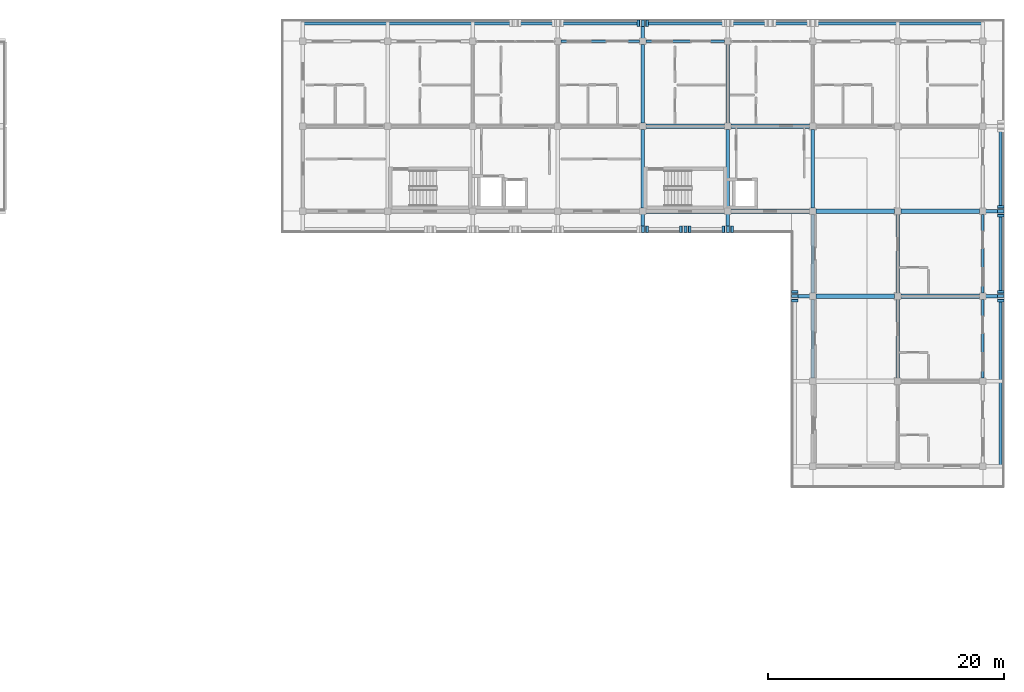
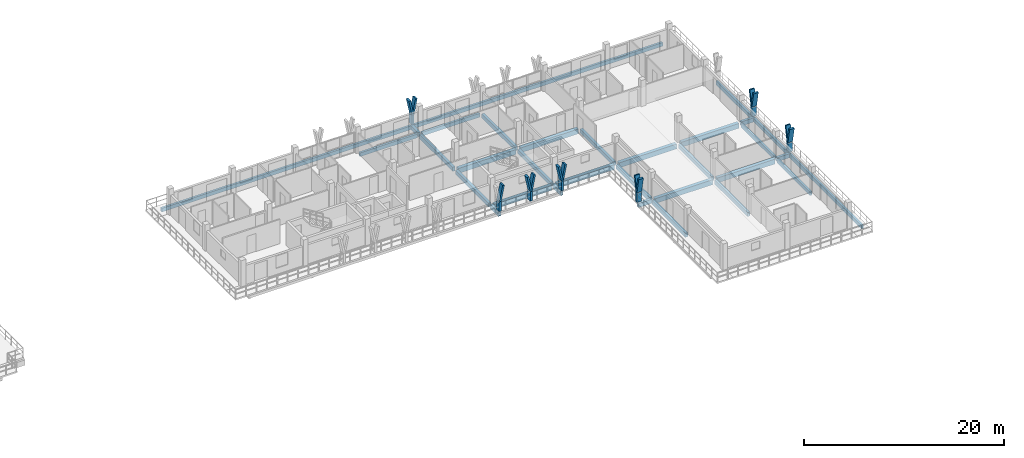
# One storey, part 26 of 65: 29 beams, 20 members.
"""IFC4 building model written with IfcOpenShell, lengths in metres."""

from ifc_helpers import new_model, si_unit, direction, frame, origin, origin_2d, place, context, subcontext, project, spatial, rectangle, extrude, material, material_profile, profile_set, type_object, element, save


model = new_model("IFC4")

# Units and contexts
model_context = context("Model", 3, precision=1e-05, world=origin(), true_north=direction((0.0, 1.0)))
body_context = subcontext(model_context, "Body", "Model", "MODEL_VIEW")
ifc_project = project(units=[si_unit("LENGTHUNIT", "METRE"), si_unit("AREAUNIT", "SQUARE_METRE"), si_unit("VOLUMEUNIT", "CUBIC_METRE"), si_unit("PLANEANGLEUNIT", "RADIAN"), si_unit("MASSUNIT", "GRAM", prefix="KILO")], contexts=[model_context])

# Site, building, storey
site_placement = place(None, origin())
site = spatial("IfcSite", under=ifc_project, at=site_placement, CompositionType="ELEMENT")
building_placement = place(site_placement, origin())
building = spatial("IfcBuilding", under=site, at=building_placement, Name="Suanplinth Sawtooth Commons", CompositionType="ELEMENT")
storey_placement = place(building_placement, frame((0.0, 0.0, 28.300048828125)))
storey = spatial("IfcBuildingStorey", under=building, at=storey_placement, Name="L08", CompositionType="ELEMENT", Elevation=28.300048828125)

# Beams
ifc_material_1 = material(Name="Precast concrete C40/50", Category="concrete")
ifc_material_profile_1 = material_profile(ifc_material_1, rectangle(XDim=0.39990234375, YDim=0.60009765625, at=origin_2d()), Name="PC-GDR 400x600")
ifc_profile_set_1 = profile_set([ifc_material_profile_1], Name="Precast concrete C40/50")
beam_type_1 = type_object("IfcBeamType", Name="B-05", PredefinedType="USERDEFINED", material=ifc_profile_set_1)
for number, where, z_axis, x_axis, name in (
    (1, (158.675048828125, 108.0, -0.510009765625), (1.0, 0.0, 0.0), (0.0, 1.0, 0.0), "BMX-L08-B-22-15"),
    (2, (158.675048828125, 115.199951171875, -0.510009765625), (1.0, 0.0, 0.0), (0.0, 1.0, 0.0), "BMX-L08-B-22-16"),
    (3, (165.875, 108.0, -0.510009765625), (1.0, 0.0, 0.0), (0.0, 1.0, 0.0), "BMX-L08-B-23-15"),
    (4, (165.875, 115.199951171875, -0.510009765625), (1.0, 0.0, 0.0), (0.0, 1.0, 0.0), "BMX-L08-B-23-16"),
):
    element("IfcBeam", number, at=place(storey_placement, frame(where, z_axis=z_axis, x_axis=x_axis)), inside=storey, type_object=beam_type_1, Name=name, ObjectType="GIRDER", PredefinedType="USERDEFINED", context=body_context, shape_type="SweptSolid", body=[
        extrude(rectangle(XDim=0.39990234375, YDim=0.60009765625, at=origin_2d()), origin(), (0.0, 0.0, 1.0), 6.64990234375),
    ])
for number, where, z_axis, x_axis, name in (
    (5, (173.074951171875, 100.800048828125, -0.510009765625), (1.0, 0.0, 0.0), (0.0, 1.0, 0.0), "BMX-L08-B-24-14"),
    (6, (173.074951171875, 108.0, -0.510009765625), (1.0, 0.0, 0.0), (0.0, 1.0, 0.0), "BMX-L08-B-24-15"),
    (7, (180.27490234375, 100.800048828125, -0.510009765625), (1.0, 0.0, 0.0), (0.0, 1.0, 0.0), "BMX-L08-B-25-14"),
    (8, (180.27490234375, 108.0, -0.510009765625), (1.0, 0.0, 0.0), (0.0, 1.0, 0.0), "BMX-L08-B-25-15"),
):
    element("IfcBeam", number, at=place(storey_placement, frame(where, z_axis=z_axis, x_axis=x_axis)), inside=storey, type_object=beam_type_1, Name=name, ObjectType="GIRDER", PredefinedType="USERDEFINED", context=body_context, shape_type="SweptSolid", body=[
        extrude(rectangle(XDim=0.39990234375, YDim=0.60009765625, at=origin_2d()), origin(), (0.0, 0.0, 1.0), 6.650146484375),
    ])
ifc_material_profile_2 = material_profile(ifc_material_1, rectangle(XDim=0.300048828125, YDim=0.5, at=origin_2d()), Name="PC-BM 300x500")
ifc_profile_set_2 = profile_set([ifc_material_profile_2], Name="Precast concrete C40/50")
beam_type_2 = type_object("IfcBeamType", Name="B-07", PredefinedType="BEAM", material=ifc_profile_set_2)
beam_1_placement = place(storey_placement, frame((158.39990234375, 108.27490234375, -0.4599609375), z_axis=(0.0, 1.0, 0.0), x_axis=(-1.0, 0.0, 0.0)))
element("IfcBeam", 9, at=beam_1_placement, inside=storey, type_object=beam_type_2, Name="BMY-L08-B-22-15", PredefinedType="BEAM", context=body_context, shape_type="SweptSolid", body=[
    extrude(rectangle(XDim=0.300048828125, YDim=0.5, at=origin_2d()), origin(), (0.0, 0.0, 1.0), 6.650146484375),
])
beam_2_placement = place(storey_placement, frame((158.39990234375, 115.47509765625, -0.4599609375), z_axis=(0.0, 1.0, 0.0), x_axis=(-1.0, 0.0, 0.0)))
element("IfcBeam", 10, at=beam_2_placement, inside=storey, type_object=beam_type_2, Name="BMY-L08-B-22-16", PredefinedType="BEAM", context=body_context, shape_type="SweptSolid", body=[
    extrude(rectangle(XDim=0.300048828125, YDim=0.5, at=origin_2d()), origin(), (0.0, 0.0, 1.0), 6.64990234375),
])
beam_3_placement = place(storey_placement, frame((165.60009765625, 108.27490234375, -0.4599609375), z_axis=(0.0, 1.0, 0.0), x_axis=(-1.0, 0.0, 0.0)))
element("IfcBeam", 11, at=beam_3_placement, inside=storey, type_object=beam_type_2, Name="BMY-L08-B-23-15", PredefinedType="BEAM", context=body_context, shape_type="SweptSolid", body=[
    extrude(rectangle(XDim=0.300048828125, YDim=0.5, at=origin_2d()), origin(), (0.0, 0.0, 1.0), 6.650146484375),
])
for number, where, z_axis, x_axis, name in (
    (12, (165.60009765625, 115.47509765625, -0.4599609375), (0.0, 1.0, 0.0), (-1.0, 0.0, 0.0), "BMY-L08-B-23-16"),
    (13, (172.800048828125, 93.875, -0.4599609375), (0.0, 1.0, 0.0), (-1.0, 0.0, 0.0), "BMY-L08-B-24-13"),
):
    element("IfcBeam", number, at=place(storey_placement, frame(where, z_axis=z_axis, x_axis=x_axis)), inside=storey, type_object=beam_type_2, Name=name, PredefinedType="BEAM", context=body_context, shape_type="SweptSolid", body=[
        extrude(rectangle(XDim=0.300048828125, YDim=0.5, at=origin_2d()), origin(), (0.0, 0.0, 1.0), 6.64990234375),
    ])
for number, where, z_axis, x_axis, name in (
    (14, (172.800048828125, 101.074951171875, -0.4599609375), (0.0, 1.0, 0.0), (-1.0, 0.0, 0.0), "BMY-L08-B-24-14"),
    (15, (172.800048828125, 108.27490234375, -0.4599609375), (0.0, 1.0, 0.0), (-1.0, 0.0, 0.0), "BMY-L08-B-24-15"),
):
    element("IfcBeam", number, at=place(storey_placement, frame(where, z_axis=z_axis, x_axis=x_axis)), inside=storey, type_object=beam_type_2, Name=name, PredefinedType="BEAM", context=body_context, shape_type="SweptSolid", body=[
        extrude(rectangle(XDim=0.300048828125, YDim=0.5, at=origin_2d()), origin(), (0.0, 0.0, 1.0), 6.650146484375),
    ])
beam_4_placement = place(storey_placement, frame((180.0, 93.875, -0.4599609375), z_axis=(0.0, 1.0, 0.0), x_axis=(-1.0, 0.0, 0.0)))
element("IfcBeam", 16, at=beam_4_placement, inside=storey, type_object=beam_type_2, Name="BMY-L08-B-25-13", PredefinedType="BEAM", context=body_context, shape_type="SweptSolid", body=[
    extrude(rectangle(XDim=0.300048828125, YDim=0.5, at=origin_2d()), origin(), (0.0, 0.0, 1.0), 6.64990234375),
])
beam_5_placement = place(storey_placement, frame((180.0, 101.074951171875, -0.4599609375), z_axis=(0.0, 1.0, 0.0), x_axis=(-1.0, 0.0, 0.0)))
element("IfcBeam", 17, at=beam_5_placement, inside=storey, type_object=beam_type_2, Name="BMY-L08-B-25-14", PredefinedType="BEAM", context=body_context, shape_type="SweptSolid", body=[
    extrude(rectangle(XDim=0.300048828125, YDim=0.5, at=origin_2d()), origin(), (0.0, 0.0, 1.0), 6.650146484375),
])
for number, where, z_axis, x_axis, name in (
    (18, (158.39990234375, 122.39990234375, -0.429931640625), (0.0, 1.0, 0.0), (-1.0, 0.0, 0.0), "Balcony Outrigger L08-B-N-22"),
    (19, (187.199951171875, 100.800048828125, -0.429931640625), (1.0, 0.0, 0.0), (0.0, 1.0, 0.0), "Balcony Outrigger L08-B-E-14"),
    (20, (187.199951171875, 108.0, -0.429931640625), (1.0, 0.0, 0.0), (0.0, 1.0, 0.0), "Balcony Outrigger L08-B-E-15"),
):
    element("IfcBeam", number, at=place(storey_placement, frame(where, z_axis=z_axis, x_axis=x_axis)), inside=storey, type_object=beam_type_2, Name=name, PredefinedType="BEAM", context=body_context, shape_type="SweptSolid", body=[
        extrude(rectangle(XDim=0.300048828125, YDim=0.5, at=origin_2d()), origin(), (0.0, 0.0, 1.0), 1.64013671875),
    ])
for number, where, z_axis, x_axis, name in (
    (21, (158.39990234375, 108.0, -0.425048828125), (0.0, -1.0, 0.0), (1.0, 0.0, 0.0), "Balcony Outrigger L08-B-SC-22"),
    (22, (165.60009765625, 108.0, -0.425048828125), (0.0, -1.0, 0.0), (1.0, 0.0, 0.0), "Balcony Outrigger L08-B-SC-23"),
):
    element("IfcBeam", number, at=place(storey_placement, frame(where, z_axis=z_axis, x_axis=x_axis)), inside=storey, type_object=beam_type_2, Name=name, PredefinedType="BEAM", context=body_context, shape_type="SweptSolid", body=[
        extrude(rectangle(XDim=0.300048828125, YDim=0.5, at=origin_2d()), origin(), (0.0, 0.0, 1.0), 1.639892578125),
    ])
beam_6_placement = place(storey_placement, frame((172.800048828125, 100.800048828125, -0.425048828125), z_axis=(-1.0, 0.0, 0.0), x_axis=(0.0, -1.0, 0.0)))
element("IfcBeam", 23, at=beam_6_placement, inside=storey, type_object=beam_type_2, Name="Balcony Outrigger L08-B-WC-14", PredefinedType="BEAM", context=body_context, shape_type="SweptSolid", body=[
    extrude(rectangle(XDim=0.300048828125, YDim=0.5, at=origin_2d()), origin(), (0.0, 0.0, 1.0), 1.64013671875),
])
ifc_material_profile_3 = material_profile(ifc_material_1, rectangle(XDim=0.25, YDim=0.449951171875, at=origin_2d()), Name="PC-SP 250x450")
ifc_profile_set_3 = profile_set([ifc_material_profile_3], Name="Precast concrete C40/50")
beam_type_3 = type_object("IfcBeamType", Name="B-09", PredefinedType="SPANDREL", material=ifc_profile_set_3)
for number, where, z_axis, x_axis, name in (
    (24, (151.47509765625, 122.39990234375, -0.43505859375), (1.0, 0.0, 0.0), (0.0, 1.0, 0.0), "BMX-L08-B-21-17"),
    (25, (158.675048828125, 122.39990234375, -0.43505859375), (1.0, 0.0, 0.0), (0.0, 1.0, 0.0), "BMX-L08-B-22-17"),
    (26, (187.199951171875, 93.875, -0.43505859375), (0.0, 1.0, 0.0), (-1.0, 0.0, 0.0), "BMY-L08-B-26-13"),
):
    element("IfcBeam", number, at=place(storey_placement, frame(where, z_axis=z_axis, x_axis=x_axis)), inside=storey, type_object=beam_type_3, Name=name, PredefinedType="SPANDREL", context=body_context, shape_type="SweptSolid", body=[
        extrude(rectangle(XDim=0.25, YDim=0.449951171875, at=origin_2d()), origin(), (0.0, 0.0, 1.0), 6.64990234375),
    ])
beam_7_placement = place(storey_placement, frame((187.199951171875, 101.074951171875, -0.43505859375), z_axis=(0.0, 1.0, 0.0), x_axis=(-1.0, 0.0, 0.0)))
element("IfcBeam", 27, at=beam_7_placement, inside=storey, type_object=beam_type_3, Name="BMY-L08-B-26-14", PredefinedType="SPANDREL", context=body_context, shape_type="SweptSolid", body=[
    extrude(rectangle(XDim=0.25, YDim=0.449951171875, at=origin_2d()), origin(), (0.0, 0.0, 1.0), 6.650146484375),
])
beam_8_placement = place(storey_placement, frame((129.449951171875, 123.919921875, -0.405029296875), z_axis=(1.0, 0.0, 0.0), x_axis=(0.0, 1.0, 0.0)))
element("IfcBeam", 28, at=beam_8_placement, inside=storey, type_object=beam_type_3, Name="Balcony Edge Fascia L08-B-N", PredefinedType="SPANDREL", context=body_context, shape_type="SweptSolid", body=[
    extrude(rectangle(XDim=0.25, YDim=0.449951171875, at=origin_2d()), origin(), (0.0, 0.0, 1.0), 57.900146484375),
])
beam_9_placement = place(storey_placement, frame((188.719970703125, 86.25, -0.405029296875), z_axis=(0.0, 1.0, 0.0), x_axis=(-1.0, 0.0, 0.0)))
element("IfcBeam", 29, at=beam_9_placement, inside=storey, type_object=beam_type_3, Name="Balcony Edge Fascia L08-B-E", PredefinedType="SPANDREL", context=body_context, shape_type="SweptSolid", body=[
    extrude(rectangle(XDim=0.25, YDim=0.449951171875, at=origin_2d()), origin(), (0.0, 0.0, 1.0), 29.10009765625),
])

# Members
ifc_material_2 = material(Name="Pigmented precast concrete C40/50", Category="concrete")
ifc_material_profile_4 = material_profile(ifc_material_2, rectangle(XDim=0.260009765625, YDim=0.550048828125, at=origin_2d()), Name="PC-FIN 260x550")
ifc_profile_set_4 = profile_set([ifc_material_profile_4], Name="Pigmented precast concrete C40/50")
member_type_1 = type_object("IfcMemberType", Name="M-09", PredefinedType="USERDEFINED", material=ifc_profile_set_4)
for number, where, z_axis, x_axis, name in (
    (30, (158.39990234375, 123.919921875, 0.0), (0.0, 0.0, 1.0), (1.0, 0.0, 0.0), "Y-Blade Stem L08-B-N-03"),
    (31, (188.719970703125, 100.800048828125, 0.0), (0.0, 0.0, 1.0), (0.0, 1.0, 0.0), "Y-Blade Stem L08-B-E-07"),
    (32, (188.719970703125, 108.0, 0.0), (0.0, 0.0, 1.0), (0.0, 1.0, 0.0), "Y-Blade Stem L08-B-E-08"),
    (33, (158.39990234375, 106.47998046875, 0.0), (0.0, 0.0, 1.0), (1.0, 0.0, 0.0), "Y-Blade Stem L08-B-SC-14"),
    (34, (162.0, 106.47998046875, 0.0), (0.0, 0.0, 1.0), (1.0, 0.0, 0.0), "Y-Blade Stem L08-B-SC-15"),
    (35, (165.60009765625, 106.47998046875, 0.0), (0.0, 0.0, 1.0), (1.0, 0.0, 0.0), "Y-Blade Stem L08-B-SC-16"),
    (36, (171.280029296875, 100.800048828125, 0.0), (0.0, 0.0, 1.0), (0.0, 1.0, 0.0), "Y-Blade Stem L08-B-WC-17"),
):
    element("IfcMember", number, at=place(storey_placement, frame(where, z_axis=z_axis, x_axis=x_axis)), inside=storey, type_object=member_type_1, Name=name, ObjectType="SHADING FIN", PredefinedType="USERDEFINED", context=body_context, shape_type="SweptSolid", body=[
        extrude(rectangle(XDim=0.260009765625, YDim=0.550048828125, at=origin_2d()), origin(), (0.0, 0.0, 1.0), 1.169921875),
    ])
ifc_material_profile_5 = material_profile(ifc_material_2, rectangle(XDim=0.219970703125, YDim=0.550048828125, at=origin_2d()), Name="PC-FIN 220x550")
ifc_profile_set_5 = profile_set([ifc_material_profile_5], Name="Pigmented precast concrete C40/50")
member_type_2 = type_object("IfcMemberType", Name="M-10", PredefinedType="USERDEFINED", material=ifc_profile_set_5)
member_1_placement = place(storey_placement, frame((158.39990234375, 123.919921875, 1.1298828125), z_axis=(-0.196285728346, 0.0, 0.980546741796), x_axis=(0.980546741796, 0.0, 0.196285728346)))
element("IfcMember", 37, at=member_1_placement, inside=storey, type_object=member_type_2, Name="Y-Blade Arm L L08-B-N-03", ObjectType="SHADING FIN", PredefinedType="USERDEFINED", context=body_context, shape_type="SweptSolid", body=[
    extrude(rectangle(XDim=0.219970703125, YDim=0.550048828125, at=origin_2d()), origin(), (0.0, 0.0, 1.0), 1.937744140625),
])
for number, where, z_axis, x_axis, name in (
    (38, (158.39990234375, 123.919921875, 1.1298828125), (0.196406855569, 0.0, 0.980522486782), (-0.980522486782, 0.0, 0.196406855569), "Y-Blade Arm R L08-B-N-03"),
    (39, (188.719970703125, 100.800048828125, 1.1298828125), (0.0, -0.196406855569, 0.980522486782), (0.0, 0.980522486782, 0.196406855569), "Y-Blade Arm L L08-B-E-07"),
):
    element("IfcMember", number, at=place(storey_placement, frame(where, z_axis=z_axis, x_axis=x_axis)), inside=storey, type_object=member_type_2, Name=name, ObjectType="SHADING FIN", PredefinedType="USERDEFINED", context=body_context, shape_type="SweptSolid", body=[
        extrude(rectangle(XDim=0.219970703125, YDim=0.550048828125, at=origin_2d()), origin(), (0.0, 0.0, 1.0), 1.93798828125),
    ])
member_2_placement = place(storey_placement, frame((188.719970703125, 100.800048828125, 1.1298828125), z_axis=(0.0, 0.196285728346, 0.980546741796), x_axis=(0.0, -0.980546741796, 0.196285728346)))
element("IfcMember", 40, at=member_2_placement, inside=storey, type_object=member_type_2, Name="Y-Blade Arm R L08-B-E-07", ObjectType="SHADING FIN", PredefinedType="USERDEFINED", context=body_context, shape_type="SweptSolid", body=[
    extrude(rectangle(XDim=0.219970703125, YDim=0.550048828125, at=origin_2d()), origin(), (0.0, 0.0, 1.0), 1.937744140625),
])
for number, where, z_axis, x_axis, name in (
    (41, (188.719970703125, 108.0, 1.1298828125), (0.0, -0.196406855569, 0.980522486782), (0.0, 0.980522486782, 0.196406855569), "Y-Blade Arm L L08-B-E-08"),
    (42, (188.719970703125, 108.0, 1.1298828125), (0.0, 0.196406855569, 0.980522486782), (0.0, -0.980522486782, 0.196406855569), "Y-Blade Arm R L08-B-E-08"),
    (43, (158.39990234375, 106.47998046875, 1.1298828125), (0.196406855569, 0.0, 0.980522486782), (-0.980522486782, 0.0, 0.196406855569), "Y-Blade Arm R L08-B-SC-14"),
    (44, (162.0, 106.47998046875, 1.1298828125), (-0.196406855569, 0.0, 0.980522486782), (0.980522486782, 0.0, 0.196406855569), "Y-Blade Arm L L08-B-SC-15"),
    (45, (162.0, 106.47998046875, 1.1298828125), (0.196406855569, 0.0, 0.980522486782), (-0.980522486782, 0.0, 0.196406855569), "Y-Blade Arm R L08-B-SC-15"),
    (46, (165.60009765625, 106.47998046875, 1.1298828125), (-0.196406855569, 0.0, 0.980522486782), (0.980522486782, 0.0, 0.196406855569), "Y-Blade Arm L L08-B-SC-16"),
):
    element("IfcMember", number, at=place(storey_placement, frame(where, z_axis=z_axis, x_axis=x_axis)), inside=storey, type_object=member_type_2, Name=name, ObjectType="SHADING FIN", PredefinedType="USERDEFINED", context=body_context, shape_type="SweptSolid", body=[
        extrude(rectangle(XDim=0.219970703125, YDim=0.550048828125, at=origin_2d()), origin(), (0.0, 0.0, 1.0), 1.93798828125),
    ])
member_3_placement = place(storey_placement, frame((165.60009765625, 106.47998046875, 1.1298828125), z_axis=(0.196285728346, 0.0, 0.980546741796), x_axis=(-0.980546741796, 0.0, 0.196285728346)))
element("IfcMember", 47, at=member_3_placement, inside=storey, type_object=member_type_2, Name="Y-Blade Arm R L08-B-SC-16", ObjectType="SHADING FIN", PredefinedType="USERDEFINED", context=body_context, shape_type="SweptSolid", body=[
    extrude(rectangle(XDim=0.219970703125, YDim=0.550048828125, at=origin_2d()), origin(), (0.0, 0.0, 1.0), 1.937744140625),
])
member_4_placement = place(storey_placement, frame((171.280029296875, 100.800048828125, 1.1298828125), z_axis=(0.0, -0.196406855569, 0.980522486782), x_axis=(0.0, 0.980522486782, 0.196406855569)))
element("IfcMember", 48, at=member_4_placement, inside=storey, type_object=member_type_2, Name="Y-Blade Arm L L08-B-WC-17", ObjectType="SHADING FIN", PredefinedType="USERDEFINED", context=body_context, shape_type="SweptSolid", body=[
    extrude(rectangle(XDim=0.219970703125, YDim=0.550048828125, at=origin_2d()), origin(), (0.0, 0.0, 1.0), 1.93798828125),
])
member_5_placement = place(storey_placement, frame((171.280029296875, 100.800048828125, 1.1298828125), z_axis=(0.0, 0.196285728346, 0.980546741796), x_axis=(0.0, -0.980546741796, 0.196285728346)))
element("IfcMember", 49, at=member_5_placement, inside=storey, type_object=member_type_2, Name="Y-Blade Arm R L08-B-WC-17", ObjectType="SHADING FIN", PredefinedType="USERDEFINED", context=body_context, shape_type="SweptSolid", body=[
    extrude(rectangle(XDim=0.219970703125, YDim=0.550048828125, at=origin_2d()), origin(), (0.0, 0.0, 1.0), 1.937744140625),
])

save(model, "model.ifc")
